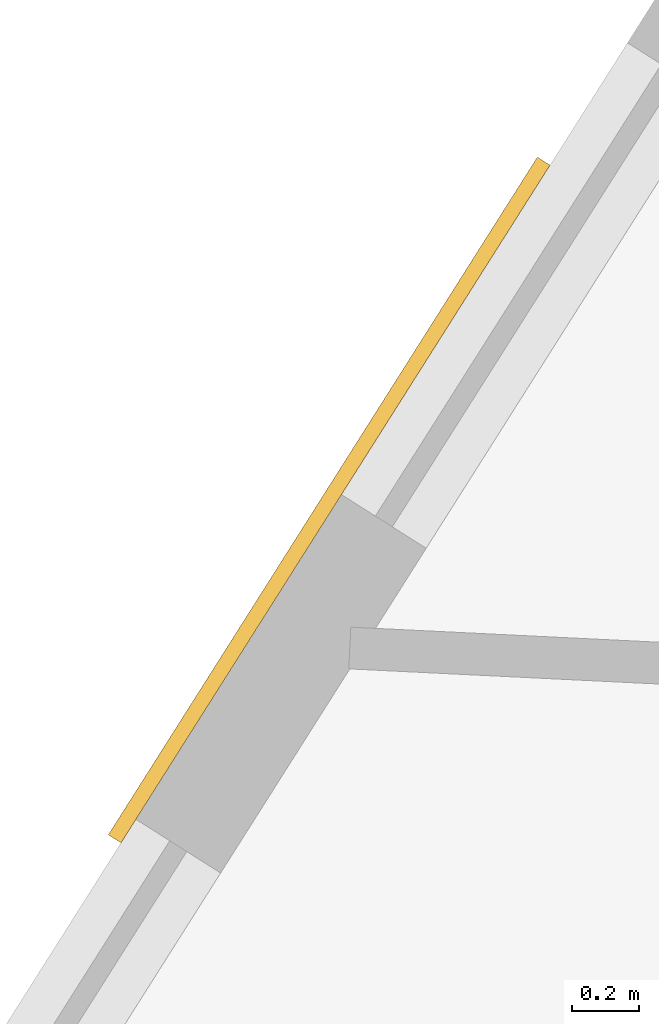
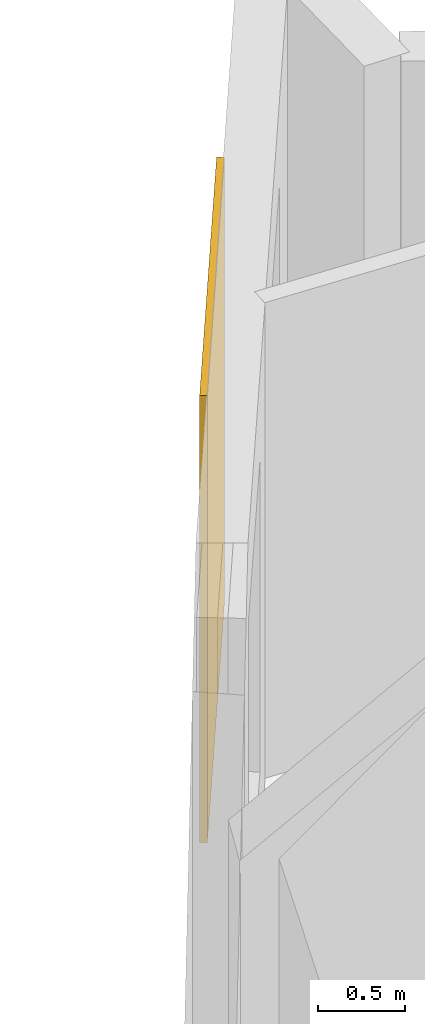
# One storey, part 12 of 12: 1 covering.
"""IFC4 building model written with IfcOpenShell, lengths in metres."""

from ifc_helpers import new_model, si_unit, direction, frame, origin, origin_2d, place, context, subcontext, project, spatial, rectangle, extrude, material, layer, layer_set, type_object, element, save


model = new_model("IFC4")

# Units and contexts
model_context = context("Model", 3, precision=1e-05, world=origin(), true_north=direction((0.0, 1.0)))
body_context = subcontext(model_context, "Body", "Model", "MODEL_VIEW")
ifc_project = project(units=[si_unit("LENGTHUNIT", "METRE"), si_unit("AREAUNIT", "SQUARE_METRE"), si_unit("VOLUMEUNIT", "CUBIC_METRE"), si_unit("PLANEANGLEUNIT", "RADIAN"), si_unit("MASSUNIT", "GRAM", prefix="KILO")], contexts=[model_context])

# Site, building, storey
site_placement = place(None, origin())
site = spatial("IfcSite", under=ifc_project, at=site_placement, CompositionType="ELEMENT")
building_placement = place(site_placement, origin())
building = spatial("IfcBuilding", under=site, at=building_placement, Name="Almagre Mirador Tower", CompositionType="ELEMENT")
storey_placement = place(building_placement, frame((0.0, 0.0, 110.39990234375)))
storey = spatial("IfcBuildingStorey", under=building, at=storey_placement, Name="L27", CompositionType="ELEMENT", Elevation=110.39990234375)

# Covering
ifc_material = material(Name="Almagre terracotta architectural cladding", Category="masonry")
ifc_layer = layer(ifc_material, 0.044921875)
ifc_layer_set = layer_set([ifc_layer], Name="Almagre terracotta architectural cladding")
covering_type = type_object("IfcCoveringType", Name="COV-CLAD-ALMAGRE", PredefinedType="CLADDING", material=ifc_layer_set)
covering_placement = place(storey_placement, frame((33.14111328125, 39.309814453125, 0.10009765625), z_axis=(0.0, 0.0, 1.0), x_axis=(0.534883337551, 0.844925922913, 0.0)))
element("IfcCovering", 1, at=covering_placement, inside=storey, type_object=covering_type, Name="L27 almagre terracotta pier cladding", PredefinedType="CLADDING", context=body_context, shape_type="SweptSolid", body=[
    extrude(rectangle(XDim=2.39990234375, YDim=0.044921875, at=origin_2d()), origin(), (0.0, 0.0, 1.0), 3.14990234375),
])

save(model, "model.ifc")
